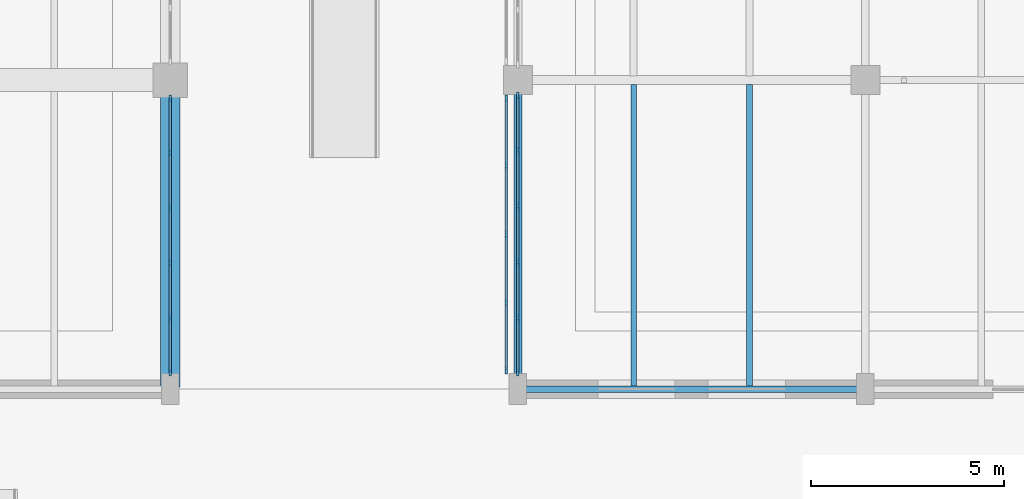
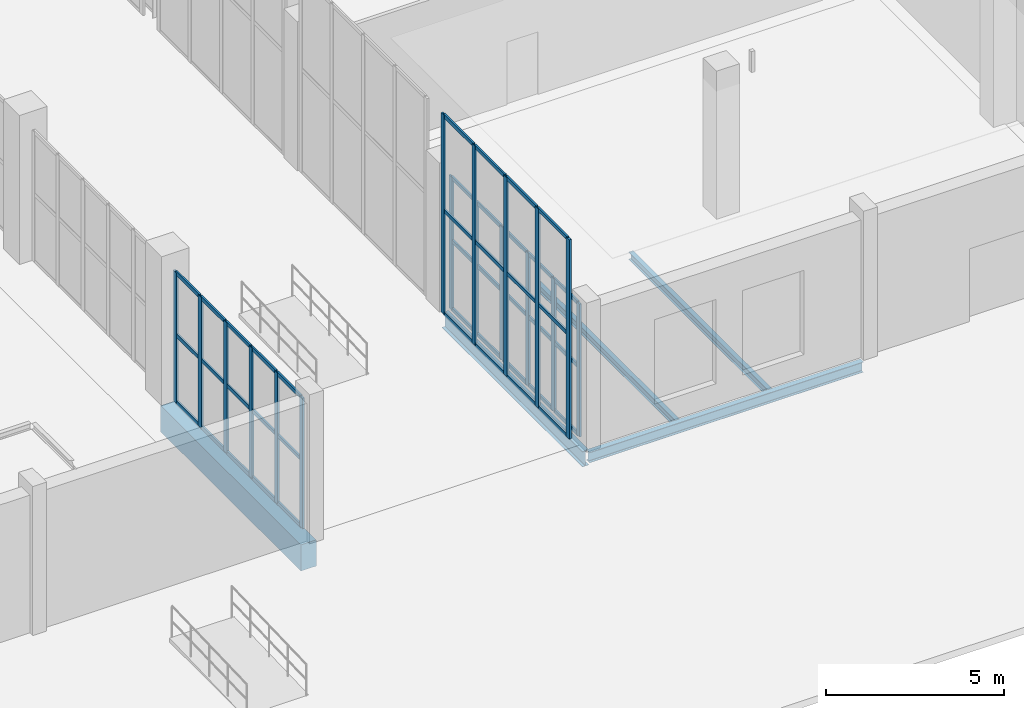
# One storey, part 39 of 103: 59 members, 5 beams, 3 elements without a shape of their own.
"""IFC4 building model written with IfcOpenShell, lengths in metres."""

from ifc_helpers import new_model, si_unit, direction, frame, origin, origin_2d, place, context, subcontext, project, spatial, rectangle, i_section, extrude, material, layer, layer_set, material_profile, profile_set, type_object, element, aggregate, save


model = new_model("IFC4")

# Units and contexts
model_context = context("Model", 3, precision=1e-05, world=origin(), true_north=direction((0.0, 1.0)))
body_context = subcontext(model_context, "Body", "Model", "MODEL_VIEW")
ifc_project = project(units=[si_unit("LENGTHUNIT", "METRE"), si_unit("AREAUNIT", "SQUARE_METRE"), si_unit("VOLUMEUNIT", "CUBIC_METRE"), si_unit("PLANEANGLEUNIT", "RADIAN"), si_unit("MASSUNIT", "GRAM", prefix="KILO")], contexts=[model_context])

# Site, building, storey
site_placement = place(None, origin())
site = spatial("IfcSite", under=ifc_project, at=site_placement, CompositionType="ELEMENT")
building_placement = place(site_placement, origin())
building = spatial("IfcBuilding", under=site, at=building_placement, Name="Marnock Terrace Opera House", CompositionType="ELEMENT")
storey_placement = place(building_placement, origin())
storey = spatial("IfcBuildingStorey", under=building, at=storey_placement, Name="L00", CompositionType="ELEMENT", Elevation=0.0)

# Beams
ifc_material_1 = material(Name="Concrete N40 (f'c = 40 MPa)", Category="concrete")
ifc_material_profile_1 = material_profile(ifc_material_1, rectangle(XDim=0.5, YDim=0.89990234375, at=origin_2d()))
ifc_profile_set_1 = profile_set([ifc_material_profile_1], Name="Concrete N40 (f'c = 40 MPa)")
beam_type_1 = type_object("IfcBeamType", Name="BM-B1-RC500", PredefinedType="BEAM", material=ifc_profile_set_1)
beam_1_placement = place(storey_placement, frame((109.0, 8.050048828125, -0.75), z_axis=(0.0, 1.0, 0.0), x_axis=(-1.0, 0.0, 0.0)))
element("IfcBeam", 1, at=beam_1_placement, inside=storey, type_object=beam_type_1, Name="L00 girder (X=109.0, 8.0..16.0)", PredefinedType="BEAM", context=body_context, shape_type="SweptSolid", body=[
    extrude(rectangle(XDim=0.5, YDim=0.89990234375, at=origin_2d()), origin(), (0.0, 0.0, 1.0), 7.89990234375),
])
ifc_material_2 = material(Name="Steel Grade 350 (AS/NZS 3679.1)", Category="steel")
ifc_material_profile_2 = material_profile(ifc_material_2, i_section(OverallWidth=0.208984375, OverallDepth=0.528076171875, WebThickness=0.009521484375, FlangeThickness=0.01318359375, FilletRadius=0.013916015625, at=origin_2d()))
ifc_profile_set_2 = profile_set([ifc_material_profile_2], Name="Steel Grade 350 (AS/NZS 3679.1)")
beam_type_2 = type_object("IfcBeamType", Name="BM-GIRD-530B", PredefinedType="BEAM", material=ifc_profile_set_2)
beam_2_placement = place(storey_placement, frame((118.0, 8.050048828125, -0.56396484375), z_axis=(0.0, 1.0, 0.0), x_axis=(-1.0, 0.0, 0.0)))
element("IfcBeam", 2, at=beam_2_placement, inside=storey, type_object=beam_type_2, Name="L00 girder (X=118.0, 8.0..16.0)", PredefinedType="BEAM", context=body_context, shape_type="SweptSolid", body=[
    extrude(i_section(OverallWidth=0.208984375, OverallDepth=0.528076171875, WebThickness=0.009521484375, FlangeThickness=0.01318359375, FilletRadius=0.013916015625, at=origin_2d()), origin(), (0.0, 0.0, 1.0), 7.89990234375),
])
ifc_material_profile_3 = material_profile(ifc_material_2, i_section(OverallWidth=0.14599609375, OverallDepth=0.256103515625, WebThickness=0.00634765625, FlangeThickness=0.010986328125, FilletRadius=0.0087890625, at=origin_2d()))
ifc_profile_set_3 = profile_set([ifc_material_profile_3], Name="Steel Grade 350 (AS/NZS 3679.1)")
beam_type_3 = type_object("IfcBeamType", Name="BM-JOIST-250", PredefinedType="JOIST", material=ifc_profile_set_3)
for number, where, z_axis, x_axis, name in (
    (3, (121.0, 8.0810546875, -0.427978515625), (0.0, 1.0, 0.0), (-1.0, 0.0, 0.0), "L00 secondary joist 13.1.1"),
    (4, (124.0, 8.0810546875, -0.427978515625), (0.0, 1.0, 0.0), (-1.0, 0.0, 0.0), "L00 secondary joist 13.1.2"),
):
    element("IfcBeam", number, at=place(storey_placement, frame(where, z_axis=z_axis, x_axis=x_axis)), inside=storey, type_object=beam_type_3, Name=name, PredefinedType="JOIST", context=body_context, shape_type="SweptSolid", body=[
        extrude(i_section(OverallWidth=0.14599609375, OverallDepth=0.256103515625, WebThickness=0.00634765625, FlangeThickness=0.010986328125, FilletRadius=0.0087890625, at=origin_2d()), origin(), (0.0, 0.0, 1.0), 7.809326171875),
    ])
ifc_material_profile_4 = material_profile(ifc_material_2, i_section(OverallWidth=0.172119140625, OverallDepth=0.358642578125, WebThickness=0.008056640625, FlangeThickness=0.012939453125, FilletRadius=0.011474609375, at=origin_2d()))
ifc_profile_set_4 = profile_set([ifc_material_profile_4], Name="Steel Grade 350 (AS/NZS 3679.1)")
beam_type_4 = type_object("IfcBeamType", Name="BM-SPAN-360", PredefinedType="SPANDREL", material=ifc_profile_set_4)
beam_3_placement = place(storey_placement, frame((118.050048828125, 8.0, -0.479248046875), z_axis=(1.0, 0.0, 0.0), x_axis=(0.0, 1.0, 0.0)))
element("IfcBeam", 5, at=beam_3_placement, inside=storey, type_object=beam_type_4, Name="L00 girder (118.0..127.0, Y=8.0)", PredefinedType="SPANDREL", context=body_context, shape_type="SweptSolid", body=[
    extrude(i_section(OverallWidth=0.172119140625, OverallDepth=0.358642578125, WebThickness=0.008056640625, FlangeThickness=0.012939453125, FilletRadius=0.011474609375, at=origin_2d()), origin(), (0.0, 0.0, 1.0), 8.89990234375),
])

# Curtain wall, members
ifc_material_3 = material(Name="Anodised architectural bronze aluminium framing", Category="aluminium")
ifc_layer_1 = layer(ifc_material_3, 0.159912109375)
ifc_layer_set_1 = layer_set([ifc_layer_1], Name="Anodised architectural bronze aluminium framing")
curtain_wall_type_1 = type_object("IfcCurtainWallType", Name="CW-FOYER-80x51", PredefinedType="NOTDEFINED", material=ifc_layer_set_1)
curtain_wall_1_placement = place(storey_placement, origin())
curtain_wall_1 = element("IfcCurtainWall", 6, at=curtain_wall_1_placement, inside=storey, type_object=curtain_wall_type_1, Name="L00 glazed Beaux-Arts colonnade curtain wall CW-V1E-L00-01", PredefinedType="NOTDEFINED")
ifc_material_profile_5 = material_profile(ifc_material_3, rectangle(XDim=0.06494140625, YDim=0.179931640625, at=origin_2d()))
ifc_profile_set_5 = profile_set([ifc_material_profile_5], Name="Anodised architectural bronze aluminium framing")
member_type_1 = type_object("IfcMemberType", Name="CWM-65x180", PredefinedType="MULLION", material=ifc_profile_set_5)
member_1_placement = place(storey_placement, frame((109.0, 8.426025390625, 0.0), z_axis=(0.0, 0.0, 1.0), x_axis=(-1.0, 0.0, 0.0)))
member_1 = element("IfcMember", 7, at=member_1_placement, type_object=member_type_1, Name="CW-73 mullion 1", PredefinedType="MULLION", context=body_context, shape_type="SweptSolid", body=[
    extrude(rectangle(XDim=0.06494140625, YDim=0.179931640625, at=origin_2d()), origin(), (0.0, 0.0, 1.0), 4.488037109375),
])
member_2_placement = place(storey_placement, frame((109.0, 9.82763671875, 0.0), z_axis=(0.0, 0.0, 1.0), x_axis=(-1.0, 0.0, 0.0)))
member_2 = element("IfcMember", 8, at=member_2_placement, type_object=member_type_1, Name="CW-73 mullion 2", PredefinedType="MULLION", context=body_context, shape_type="SweptSolid", body=[
    extrude(rectangle(XDim=0.06494140625, YDim=0.179931640625, at=origin_2d()), origin(), (0.0, 0.0, 1.0), 4.488037109375),
])
member_3_placement = place(storey_placement, frame((109.0, 11.25927734375, 0.0), z_axis=(0.0, 0.0, 1.0), x_axis=(-1.0, 0.0, 0.0)))
member_3 = element("IfcMember", 9, at=member_3_placement, type_object=member_type_1, Name="CW-73 mullion 3", PredefinedType="MULLION", context=body_context, shape_type="SweptSolid", body=[
    extrude(rectangle(XDim=0.06494140625, YDim=0.179931640625, at=origin_2d()), origin(), (0.0, 0.0, 1.0), 4.488037109375),
])
member_4_placement = place(storey_placement, frame((109.0, 12.69091796875, 0.0), z_axis=(0.0, 0.0, 1.0), x_axis=(-1.0, 0.0, 0.0)))
member_4 = element("IfcMember", 10, at=member_4_placement, type_object=member_type_1, Name="CW-73 mullion 4", PredefinedType="MULLION", context=body_context, shape_type="SweptSolid", body=[
    extrude(rectangle(XDim=0.06494140625, YDim=0.179931640625, at=origin_2d()), origin(), (0.0, 0.0, 1.0), 4.488037109375),
])
member_5_placement = place(storey_placement, frame((109.0, 14.122314453125, 0.0), z_axis=(0.0, 0.0, 1.0), x_axis=(-1.0, 0.0, 0.0)))
member_5 = element("IfcMember", 11, at=member_5_placement, type_object=member_type_1, Name="CW-73 mullion 5", PredefinedType="MULLION", context=body_context, shape_type="SweptSolid", body=[
    extrude(rectangle(XDim=0.06494140625, YDim=0.179931640625, at=origin_2d()), origin(), (0.0, 0.0, 1.0), 4.488037109375),
])
member_6_placement = place(storey_placement, frame((109.0, 15.52392578125, 0.0), z_axis=(0.0, 0.0, 1.0), x_axis=(-1.0, 0.0, 0.0)))
member_6 = element("IfcMember", 12, at=member_6_placement, type_object=member_type_1, Name="CW-73 mullion 6", PredefinedType="MULLION", context=body_context, shape_type="SweptSolid", body=[
    extrude(rectangle(XDim=0.06494140625, YDim=0.179931640625, at=origin_2d()), origin(), (0.0, 0.0, 1.0), 4.488037109375),
])

ifc_layer_2 = layer(ifc_material_3, 0.159912109375)
ifc_layer_set_2 = layer_set([ifc_layer_2], Name="Anodised architectural bronze aluminium framing")
curtain_wall_type_2 = type_object("IfcCurtainWallType", Name="CW-LOGGIA-86x51", PredefinedType="NOTDEFINED", material=ifc_layer_set_2)
curtain_wall_2_placement = place(storey_placement, origin())
curtain_wall_2 = element("IfcCurtainWall", 13, at=curtain_wall_2_placement, inside=storey, type_object=curtain_wall_type_2, Name="L00 glazed Beaux-Arts colonnade curtain wall CW-V5-L00-W1", PredefinedType="NOTDEFINED")
member_7_placement = place(storey_placement, frame((118.0, 8.426025390625, 0.0), z_axis=(0.0, 0.0, 1.0), x_axis=(-1.0, 0.0, 0.0)))
member_7 = element("IfcMember", 14, at=member_7_placement, type_object=member_type_1, Name="CW-96 mullion 1", PredefinedType="MULLION", context=body_context, shape_type="SweptSolid", body=[
    extrude(rectangle(XDim=0.06494140625, YDim=0.179931640625, at=origin_2d()), origin(), (0.0, 0.0, 1.0), 4.56201171875),
])
member_8_placement = place(storey_placement, frame((118.0, 9.842529296875, 0.0), z_axis=(0.0, 0.0, 1.0), x_axis=(-1.0, 0.0, 0.0)))
member_8 = element("IfcMember", 15, at=member_8_placement, type_object=member_type_1, Name="CW-96 mullion 2", PredefinedType="MULLION", context=body_context, shape_type="SweptSolid", body=[
    extrude(rectangle(XDim=0.06494140625, YDim=0.179931640625, at=origin_2d()), origin(), (0.0, 0.0, 1.0), 4.56201171875),
])
member_9_placement = place(storey_placement, frame((118.0, 11.289306640625, 0.0), z_axis=(0.0, 0.0, 1.0), x_axis=(-1.0, 0.0, 0.0)))
member_9 = element("IfcMember", 16, at=member_9_placement, type_object=member_type_1, Name="CW-96 mullion 3", PredefinedType="MULLION", context=body_context, shape_type="SweptSolid", body=[
    extrude(rectangle(XDim=0.06494140625, YDim=0.179931640625, at=origin_2d()), origin(), (0.0, 0.0, 1.0), 4.56201171875),
])
member_10_placement = place(storey_placement, frame((118.0, 12.73583984375, 0.0), z_axis=(0.0, 0.0, 1.0), x_axis=(-1.0, 0.0, 0.0)))
member_10 = element("IfcMember", 17, at=member_10_placement, type_object=member_type_1, Name="CW-96 mullion 4", PredefinedType="MULLION", context=body_context, shape_type="SweptSolid", body=[
    extrude(rectangle(XDim=0.06494140625, YDim=0.179931640625, at=origin_2d()), origin(), (0.0, 0.0, 1.0), 4.56201171875),
])
member_11_placement = place(storey_placement, frame((118.0, 14.182373046875, 0.0), z_axis=(0.0, 0.0, 1.0), x_axis=(-1.0, 0.0, 0.0)))
member_11 = element("IfcMember", 18, at=member_11_placement, type_object=member_type_1, Name="CW-96 mullion 5", PredefinedType="MULLION", context=body_context, shape_type="SweptSolid", body=[
    extrude(rectangle(XDim=0.06494140625, YDim=0.179931640625, at=origin_2d()), origin(), (0.0, 0.0, 1.0), 4.56201171875),
])
member_12_placement = place(storey_placement, frame((118.0, 15.59912109375, 0.0), z_axis=(0.0, 0.0, 1.0), x_axis=(-1.0, 0.0, 0.0)))
member_12 = element("IfcMember", 19, at=member_12_placement, type_object=member_type_1, Name="CW-96 mullion 6", PredefinedType="MULLION", context=body_context, shape_type="SweptSolid", body=[
    extrude(rectangle(XDim=0.06494140625, YDim=0.179931640625, at=origin_2d()), origin(), (0.0, 0.0, 1.0), 4.56201171875),
])

ifc_layer_3 = layer(ifc_material_3, 0.159912109375)
ifc_layer_set_3 = layer_set([ifc_layer_3], Name="Anodised architectural bronze aluminium framing")
curtain_wall_type_3 = type_object("IfcCurtainWallType", Name="CW-PASSAGE-71x68", PredefinedType="NOTDEFINED", material=ifc_layer_set_3)
curtain_wall_3_placement = place(storey_placement, origin())
curtain_wall_3 = element("IfcCurtainWall", 20, at=curtain_wall_3_placement, inside=storey, type_object=curtain_wall_type_3, Name="L00 glazed Beaux-Arts colonnade curtain wall CW-PASSAGE-L00-01", PredefinedType="NOTDEFINED")
member_13_placement = place(storey_placement, frame((117.699951171875, 8.47998046875, 0.0), z_axis=(0.0, 0.0, 1.0), x_axis=(-1.0, 0.0, 0.0)))
member_13 = element("IfcMember", 21, at=member_13_placement, type_object=member_type_1, Name="CW-33 mullion 1", PredefinedType="MULLION", context=body_context, shape_type="SweptSolid", body=[
    extrude(rectangle(XDim=0.06494140625, YDim=0.179931640625, at=origin_2d()), origin(), (0.0, 0.0, 1.0), 6.85009765625),
])
member_14_placement = place(storey_placement, frame((117.699951171875, 10.22509765625, 0.0), z_axis=(0.0, 0.0, 1.0), x_axis=(-1.0, 0.0, 0.0)))
member_14 = element("IfcMember", 22, at=member_14_placement, type_object=member_type_1, Name="CW-33 mullion 2", PredefinedType="MULLION", context=body_context, shape_type="SweptSolid", body=[
    extrude(rectangle(XDim=0.06494140625, YDim=0.179931640625, at=origin_2d()), origin(), (0.0, 0.0, 1.0), 6.85009765625),
])
member_15_placement = place(storey_placement, frame((117.699951171875, 12.0, 0.0), z_axis=(0.0, 0.0, 1.0), x_axis=(-1.0, 0.0, 0.0)))
member_15 = element("IfcMember", 23, at=member_15_placement, type_object=member_type_1, Name="CW-33 mullion 3", PredefinedType="MULLION", context=body_context, shape_type="SweptSolid", body=[
    extrude(rectangle(XDim=0.06494140625, YDim=0.179931640625, at=origin_2d()), origin(), (0.0, 0.0, 1.0), 6.85009765625),
])
member_16_placement = place(storey_placement, frame((117.699951171875, 13.77490234375, 0.0), z_axis=(0.0, 0.0, 1.0), x_axis=(-1.0, 0.0, 0.0)))
member_16 = element("IfcMember", 24, at=member_16_placement, type_object=member_type_1, Name="CW-33 mullion 4", PredefinedType="MULLION", context=body_context, shape_type="SweptSolid", body=[
    extrude(rectangle(XDim=0.06494140625, YDim=0.179931640625, at=origin_2d()), origin(), (0.0, 0.0, 1.0), 6.85009765625),
])
member_17_placement = place(storey_placement, frame((117.699951171875, 15.52001953125, 0.0), z_axis=(0.0, 0.0, 1.0), x_axis=(-1.0, 0.0, 0.0)))
member_17 = element("IfcMember", 25, at=member_17_placement, type_object=member_type_1, Name="CW-33 mullion 5", PredefinedType="MULLION", context=body_context, shape_type="SweptSolid", body=[
    extrude(rectangle(XDim=0.06494140625, YDim=0.179931640625, at=origin_2d()), origin(), (0.0, 0.0, 1.0), 6.85009765625),
])

# Member
ifc_material_profile_6 = material_profile(ifc_material_3, rectangle(XDim=0.06005859375, YDim=0.1298828125, at=origin_2d()))
ifc_profile_set_6 = profile_set([ifc_material_profile_6], Name="Anodised architectural bronze aluminium framing")
member_type_2 = type_object("IfcMemberType", Name="CWT-60x130", PredefinedType="USERDEFINED", material=ifc_profile_set_6)
member_18_placement = place(storey_placement, frame((109.0, 8.4560546875, 0.030029296875), z_axis=(0.0, 1.0, 0.0), x_axis=(-1.0, 0.0, 0.0)))
member_18 = element("IfcMember", 26, at=member_18_placement, type_object=member_type_2, Name="CW-73 transom 1.1", ObjectType="TRANSOM", PredefinedType="USERDEFINED", context=body_context, shape_type="SweptSolid", body=[
    extrude(rectangle(XDim=0.06005859375, YDim=0.1298828125, at=origin_2d()), origin(), (0.0, 0.0, 1.0), 1.341552734375),
])

member_19_placement = place(storey_placement, frame((109.0, 8.4560546875, 2.333740234375), z_axis=(0.0, 1.0, 0.0), x_axis=(-1.0, 0.0, 0.0)))
member_19 = element("IfcMember", 27, at=member_19_placement, type_object=member_type_2, Name="CW-73 transom 1.2", ObjectType="TRANSOM", PredefinedType="USERDEFINED", context=body_context, shape_type="SweptSolid", body=[
    extrude(rectangle(XDim=0.06005859375, YDim=0.1298828125, at=origin_2d()), origin(), (0.0, 0.0, 1.0), 1.341552734375),
])

member_20_placement = place(storey_placement, frame((109.0, 8.4560546875, 4.4580078125), z_axis=(0.0, 1.0, 0.0), x_axis=(-1.0, 0.0, 0.0)))
member_20 = element("IfcMember", 28, at=member_20_placement, type_object=member_type_2, Name="CW-73 transom 1.3", ObjectType="TRANSOM", PredefinedType="USERDEFINED", context=body_context, shape_type="SweptSolid", body=[
    extrude(rectangle(XDim=0.06005859375, YDim=0.1298828125, at=origin_2d()), origin(), (0.0, 0.0, 1.0), 1.341552734375),
])

member_21_placement = place(storey_placement, frame((109.0, 9.857666015625, 0.030029296875), z_axis=(0.0, 1.0, 0.0), x_axis=(-1.0, 0.0, 0.0)))
member_21 = element("IfcMember", 29, at=member_21_placement, type_object=member_type_2, Name="CW-73 transom 2.1", ObjectType="TRANSOM", PredefinedType="USERDEFINED", context=body_context, shape_type="SweptSolid", body=[
    extrude(rectangle(XDim=0.06005859375, YDim=0.1298828125, at=origin_2d()), origin(), (0.0, 0.0, 1.0), 1.37158203125),
])

member_22_placement = place(storey_placement, frame((109.0, 9.857666015625, 2.333740234375), z_axis=(0.0, 1.0, 0.0), x_axis=(-1.0, 0.0, 0.0)))
member_22 = element("IfcMember", 30, at=member_22_placement, type_object=member_type_2, Name="CW-73 transom 2.2", ObjectType="TRANSOM", PredefinedType="USERDEFINED", context=body_context, shape_type="SweptSolid", body=[
    extrude(rectangle(XDim=0.06005859375, YDim=0.1298828125, at=origin_2d()), origin(), (0.0, 0.0, 1.0), 1.37158203125),
])

member_23_placement = place(storey_placement, frame((109.0, 9.857666015625, 4.4580078125), z_axis=(0.0, 1.0, 0.0), x_axis=(-1.0, 0.0, 0.0)))
member_23 = element("IfcMember", 31, at=member_23_placement, type_object=member_type_2, Name="CW-73 transom 2.3", ObjectType="TRANSOM", PredefinedType="USERDEFINED", context=body_context, shape_type="SweptSolid", body=[
    extrude(rectangle(XDim=0.06005859375, YDim=0.1298828125, at=origin_2d()), origin(), (0.0, 0.0, 1.0), 1.37158203125),
])

member_24_placement = place(storey_placement, frame((109.0, 11.289306640625, 0.030029296875), z_axis=(0.0, 1.0, 0.0), x_axis=(-1.0, 0.0, 0.0)))
member_24 = element("IfcMember", 32, at=member_24_placement, type_object=member_type_2, Name="CW-73 transom 3.1", ObjectType="TRANSOM", PredefinedType="USERDEFINED", context=body_context, shape_type="SweptSolid", body=[
    extrude(rectangle(XDim=0.06005859375, YDim=0.1298828125, at=origin_2d()), origin(), (0.0, 0.0, 1.0), 1.37158203125),
])

member_25_placement = place(storey_placement, frame((109.0, 11.289306640625, 2.333740234375), z_axis=(0.0, 1.0, 0.0), x_axis=(-1.0, 0.0, 0.0)))
member_25 = element("IfcMember", 33, at=member_25_placement, type_object=member_type_2, Name="CW-73 transom 3.2", ObjectType="TRANSOM", PredefinedType="USERDEFINED", context=body_context, shape_type="SweptSolid", body=[
    extrude(rectangle(XDim=0.06005859375, YDim=0.1298828125, at=origin_2d()), origin(), (0.0, 0.0, 1.0), 1.37158203125),
])

member_26_placement = place(storey_placement, frame((109.0, 11.289306640625, 4.4580078125), z_axis=(0.0, 1.0, 0.0), x_axis=(-1.0, 0.0, 0.0)))
member_26 = element("IfcMember", 34, at=member_26_placement, type_object=member_type_2, Name="CW-73 transom 3.3", ObjectType="TRANSOM", PredefinedType="USERDEFINED", context=body_context, shape_type="SweptSolid", body=[
    extrude(rectangle(XDim=0.06005859375, YDim=0.1298828125, at=origin_2d()), origin(), (0.0, 0.0, 1.0), 1.37158203125),
])

member_27_placement = place(storey_placement, frame((109.0, 12.720703125, 0.030029296875), z_axis=(0.0, 1.0, 0.0), x_axis=(-1.0, 0.0, 0.0)))
member_27 = element("IfcMember", 35, at=member_27_placement, type_object=member_type_2, Name="CW-73 transom 4.1", ObjectType="TRANSOM", PredefinedType="USERDEFINED", context=body_context, shape_type="SweptSolid", body=[
    extrude(rectangle(XDim=0.06005859375, YDim=0.1298828125, at=origin_2d()), origin(), (0.0, 0.0, 1.0), 1.37158203125),
])

member_28_placement = place(storey_placement, frame((109.0, 12.720703125, 2.333740234375), z_axis=(0.0, 1.0, 0.0), x_axis=(-1.0, 0.0, 0.0)))
member_28 = element("IfcMember", 36, at=member_28_placement, type_object=member_type_2, Name="CW-73 transom 4.2", ObjectType="TRANSOM", PredefinedType="USERDEFINED", context=body_context, shape_type="SweptSolid", body=[
    extrude(rectangle(XDim=0.06005859375, YDim=0.1298828125, at=origin_2d()), origin(), (0.0, 0.0, 1.0), 1.37158203125),
])

member_29_placement = place(storey_placement, frame((109.0, 12.720703125, 4.4580078125), z_axis=(0.0, 1.0, 0.0), x_axis=(-1.0, 0.0, 0.0)))
member_29 = element("IfcMember", 37, at=member_29_placement, type_object=member_type_2, Name="CW-73 transom 4.3", ObjectType="TRANSOM", PredefinedType="USERDEFINED", context=body_context, shape_type="SweptSolid", body=[
    extrude(rectangle(XDim=0.06005859375, YDim=0.1298828125, at=origin_2d()), origin(), (0.0, 0.0, 1.0), 1.37158203125),
])

member_30_placement = place(storey_placement, frame((109.0, 14.15234375, 0.030029296875), z_axis=(0.0, 1.0, 0.0), x_axis=(-1.0, 0.0, 0.0)))
member_30 = element("IfcMember", 38, at=member_30_placement, type_object=member_type_2, Name="CW-73 transom 5.1", ObjectType="TRANSOM", PredefinedType="USERDEFINED", context=body_context, shape_type="SweptSolid", body=[
    extrude(rectangle(XDim=0.06005859375, YDim=0.1298828125, at=origin_2d()), origin(), (0.0, 0.0, 1.0), 1.341552734375),
])

member_31_placement = place(storey_placement, frame((109.0, 14.15234375, 2.333740234375), z_axis=(0.0, 1.0, 0.0), x_axis=(-1.0, 0.0, 0.0)))
member_31 = element("IfcMember", 39, at=member_31_placement, type_object=member_type_2, Name="CW-73 transom 5.2", ObjectType="TRANSOM", PredefinedType="USERDEFINED", context=body_context, shape_type="SweptSolid", body=[
    extrude(rectangle(XDim=0.06005859375, YDim=0.1298828125, at=origin_2d()), origin(), (0.0, 0.0, 1.0), 1.341552734375),
])

member_32_placement = place(storey_placement, frame((109.0, 14.15234375, 4.4580078125), z_axis=(0.0, 1.0, 0.0), x_axis=(-1.0, 0.0, 0.0)))
member_32 = element("IfcMember", 40, at=member_32_placement, type_object=member_type_2, Name="CW-73 transom 5.3", ObjectType="TRANSOM", PredefinedType="USERDEFINED", context=body_context, shape_type="SweptSolid", body=[
    extrude(rectangle(XDim=0.06005859375, YDim=0.1298828125, at=origin_2d()), origin(), (0.0, 0.0, 1.0), 1.341552734375),
])

aggregate(curtain_wall_1, [member_1, member_2, member_3, member_4, member_5, member_6, member_18, member_19, member_20, member_21, member_22, member_23, member_24, member_25, member_26, member_27, member_28, member_29, member_30, member_31, member_32])

member_33_placement = place(storey_placement, frame((118.0, 8.4560546875, 0.030029296875), z_axis=(0.0, 1.0, 0.0), x_axis=(-1.0, 0.0, 0.0)))
member_33 = element("IfcMember", 41, at=member_33_placement, type_object=member_type_2, Name="CW-96 transom 1.1", ObjectType="TRANSOM", PredefinedType="USERDEFINED", context=body_context, shape_type="SweptSolid", body=[
    extrude(rectangle(XDim=0.06005859375, YDim=0.1298828125, at=origin_2d()), origin(), (0.0, 0.0, 1.0), 1.3564453125),
])

member_34_placement = place(storey_placement, frame((118.0, 8.4560546875, 2.372314453125), z_axis=(0.0, 1.0, 0.0), x_axis=(-1.0, 0.0, 0.0)))
member_34 = element("IfcMember", 42, at=member_34_placement, type_object=member_type_2, Name="CW-96 transom 1.2", ObjectType="TRANSOM", PredefinedType="USERDEFINED", context=body_context, shape_type="SweptSolid", body=[
    extrude(rectangle(XDim=0.06005859375, YDim=0.1298828125, at=origin_2d()), origin(), (0.0, 0.0, 1.0), 1.3564453125),
])

member_35_placement = place(storey_placement, frame((118.0, 8.4560546875, 4.531982421875), z_axis=(0.0, 1.0, 0.0), x_axis=(-1.0, 0.0, 0.0)))
member_35 = element("IfcMember", 43, at=member_35_placement, type_object=member_type_2, Name="CW-96 transom 1.3", ObjectType="TRANSOM", PredefinedType="USERDEFINED", context=body_context, shape_type="SweptSolid", body=[
    extrude(rectangle(XDim=0.06005859375, YDim=0.1298828125, at=origin_2d()), origin(), (0.0, 0.0, 1.0), 1.3564453125),
])

member_36_placement = place(storey_placement, frame((118.0, 9.87255859375, 0.030029296875), z_axis=(0.0, 1.0, 0.0), x_axis=(-1.0, 0.0, 0.0)))
member_36 = element("IfcMember", 44, at=member_36_placement, type_object=member_type_2, Name="CW-96 transom 2.1", ObjectType="TRANSOM", PredefinedType="USERDEFINED", context=body_context, shape_type="SweptSolid", body=[
    extrude(rectangle(XDim=0.06005859375, YDim=0.1298828125, at=origin_2d()), origin(), (0.0, 0.0, 1.0), 1.38671875),
])

member_37_placement = place(storey_placement, frame((118.0, 9.87255859375, 2.372314453125), z_axis=(0.0, 1.0, 0.0), x_axis=(-1.0, 0.0, 0.0)))
member_37 = element("IfcMember", 45, at=member_37_placement, type_object=member_type_2, Name="CW-96 transom 2.2", ObjectType="TRANSOM", PredefinedType="USERDEFINED", context=body_context, shape_type="SweptSolid", body=[
    extrude(rectangle(XDim=0.06005859375, YDim=0.1298828125, at=origin_2d()), origin(), (0.0, 0.0, 1.0), 1.38671875),
])

member_38_placement = place(storey_placement, frame((118.0, 9.87255859375, 4.531982421875), z_axis=(0.0, 1.0, 0.0), x_axis=(-1.0, 0.0, 0.0)))
member_38 = element("IfcMember", 46, at=member_38_placement, type_object=member_type_2, Name="CW-96 transom 2.3", ObjectType="TRANSOM", PredefinedType="USERDEFINED", context=body_context, shape_type="SweptSolid", body=[
    extrude(rectangle(XDim=0.06005859375, YDim=0.1298828125, at=origin_2d()), origin(), (0.0, 0.0, 1.0), 1.38671875),
])

member_39_placement = place(storey_placement, frame((118.0, 11.319091796875, 0.030029296875), z_axis=(0.0, 1.0, 0.0), x_axis=(-1.0, 0.0, 0.0)))
member_39 = element("IfcMember", 47, at=member_39_placement, type_object=member_type_2, Name="CW-96 transom 3.1", ObjectType="TRANSOM", PredefinedType="USERDEFINED", context=body_context, shape_type="SweptSolid", body=[
    extrude(rectangle(XDim=0.06005859375, YDim=0.1298828125, at=origin_2d()), origin(), (0.0, 0.0, 1.0), 1.38671875),
])

member_40_placement = place(storey_placement, frame((118.0, 11.319091796875, 2.372314453125), z_axis=(0.0, 1.0, 0.0), x_axis=(-1.0, 0.0, 0.0)))
member_40 = element("IfcMember", 48, at=member_40_placement, type_object=member_type_2, Name="CW-96 transom 3.2", ObjectType="TRANSOM", PredefinedType="USERDEFINED", context=body_context, shape_type="SweptSolid", body=[
    extrude(rectangle(XDim=0.06005859375, YDim=0.1298828125, at=origin_2d()), origin(), (0.0, 0.0, 1.0), 1.38671875),
])

member_41_placement = place(storey_placement, frame((118.0, 11.319091796875, 4.531982421875), z_axis=(0.0, 1.0, 0.0), x_axis=(-1.0, 0.0, 0.0)))
member_41 = element("IfcMember", 49, at=member_41_placement, type_object=member_type_2, Name="CW-96 transom 3.3", ObjectType="TRANSOM", PredefinedType="USERDEFINED", context=body_context, shape_type="SweptSolid", body=[
    extrude(rectangle(XDim=0.06005859375, YDim=0.1298828125, at=origin_2d()), origin(), (0.0, 0.0, 1.0), 1.38671875),
])

member_42_placement = place(storey_placement, frame((118.0, 12.765869140625, 0.030029296875), z_axis=(0.0, 1.0, 0.0), x_axis=(-1.0, 0.0, 0.0)))
member_42 = element("IfcMember", 50, at=member_42_placement, type_object=member_type_2, Name="CW-96 transom 4.1", ObjectType="TRANSOM", PredefinedType="USERDEFINED", context=body_context, shape_type="SweptSolid", body=[
    extrude(rectangle(XDim=0.06005859375, YDim=0.1298828125, at=origin_2d()), origin(), (0.0, 0.0, 1.0), 1.386474609375),
])

member_43_placement = place(storey_placement, frame((118.0, 12.765869140625, 2.372314453125), z_axis=(0.0, 1.0, 0.0), x_axis=(-1.0, 0.0, 0.0)))
member_43 = element("IfcMember", 51, at=member_43_placement, type_object=member_type_2, Name="CW-96 transom 4.2", ObjectType="TRANSOM", PredefinedType="USERDEFINED", context=body_context, shape_type="SweptSolid", body=[
    extrude(rectangle(XDim=0.06005859375, YDim=0.1298828125, at=origin_2d()), origin(), (0.0, 0.0, 1.0), 1.386474609375),
])

member_44_placement = place(storey_placement, frame((118.0, 12.765869140625, 4.531982421875), z_axis=(0.0, 1.0, 0.0), x_axis=(-1.0, 0.0, 0.0)))
member_44 = element("IfcMember", 52, at=member_44_placement, type_object=member_type_2, Name="CW-96 transom 4.3", ObjectType="TRANSOM", PredefinedType="USERDEFINED", context=body_context, shape_type="SweptSolid", body=[
    extrude(rectangle(XDim=0.06005859375, YDim=0.1298828125, at=origin_2d()), origin(), (0.0, 0.0, 1.0), 1.386474609375),
])

member_45_placement = place(storey_placement, frame((118.0, 14.21240234375, 0.030029296875), z_axis=(0.0, 1.0, 0.0), x_axis=(-1.0, 0.0, 0.0)))
member_45 = element("IfcMember", 53, at=member_45_placement, type_object=member_type_2, Name="CW-96 transom 5.1", ObjectType="TRANSOM", PredefinedType="USERDEFINED", context=body_context, shape_type="SweptSolid", body=[
    extrude(rectangle(XDim=0.06005859375, YDim=0.1298828125, at=origin_2d()), origin(), (0.0, 0.0, 1.0), 1.356689453125),
])

member_46_placement = place(storey_placement, frame((118.0, 14.21240234375, 2.372314453125), z_axis=(0.0, 1.0, 0.0), x_axis=(-1.0, 0.0, 0.0)))
member_46 = element("IfcMember", 54, at=member_46_placement, type_object=member_type_2, Name="CW-96 transom 5.2", ObjectType="TRANSOM", PredefinedType="USERDEFINED", context=body_context, shape_type="SweptSolid", body=[
    extrude(rectangle(XDim=0.06005859375, YDim=0.1298828125, at=origin_2d()), origin(), (0.0, 0.0, 1.0), 1.356689453125),
])

member_47_placement = place(storey_placement, frame((118.0, 14.21240234375, 4.531982421875), z_axis=(0.0, 1.0, 0.0), x_axis=(-1.0, 0.0, 0.0)))
member_47 = element("IfcMember", 55, at=member_47_placement, type_object=member_type_2, Name="CW-96 transom 5.3", ObjectType="TRANSOM", PredefinedType="USERDEFINED", context=body_context, shape_type="SweptSolid", body=[
    extrude(rectangle(XDim=0.06005859375, YDim=0.1298828125, at=origin_2d()), origin(), (0.0, 0.0, 1.0), 1.356689453125),
])

aggregate(curtain_wall_2, [member_7, member_8, member_9, member_10, member_11, member_12, member_33, member_34, member_35, member_36, member_37, member_38, member_39, member_40, member_41, member_42, member_43, member_44, member_45, member_46, member_47])

member_48_placement = place(storey_placement, frame((117.699951171875, 8.510009765625, 0.030029296875), z_axis=(0.0, 1.0, 0.0), x_axis=(-1.0, 0.0, 0.0)))
member_48 = element("IfcMember", 56, at=member_48_placement, type_object=member_type_2, Name="CW-33 transom 1.1", ObjectType="TRANSOM", PredefinedType="USERDEFINED", context=body_context, shape_type="SweptSolid", body=[
    extrude(rectangle(XDim=0.06005859375, YDim=0.1298828125, at=origin_2d()), origin(), (0.0, 0.0, 1.0), 1.68505859375),
])

member_49_placement = place(storey_placement, frame((117.699951171875, 8.510009765625, 3.56201171875), z_axis=(0.0, 1.0, 0.0), x_axis=(-1.0, 0.0, 0.0)))
member_49 = element("IfcMember", 57, at=member_49_placement, type_object=member_type_2, Name="CW-33 transom 1.2", ObjectType="TRANSOM", PredefinedType="USERDEFINED", context=body_context, shape_type="SweptSolid", body=[
    extrude(rectangle(XDim=0.06005859375, YDim=0.1298828125, at=origin_2d()), origin(), (0.0, 0.0, 1.0), 1.68505859375),
])

member_50_placement = place(storey_placement, frame((117.699951171875, 8.510009765625, 6.820068359375), z_axis=(0.0, 1.0, 0.0), x_axis=(-1.0, 0.0, 0.0)))
member_50 = element("IfcMember", 58, at=member_50_placement, type_object=member_type_2, Name="CW-33 transom 1.3", ObjectType="TRANSOM", PredefinedType="USERDEFINED", context=body_context, shape_type="SweptSolid", body=[
    extrude(rectangle(XDim=0.06005859375, YDim=0.1298828125, at=origin_2d()), origin(), (0.0, 0.0, 1.0), 1.68505859375),
])

member_51_placement = place(storey_placement, frame((117.699951171875, 10.2548828125, 0.030029296875), z_axis=(0.0, 1.0, 0.0), x_axis=(-1.0, 0.0, 0.0)))
member_51 = element("IfcMember", 59, at=member_51_placement, type_object=member_type_2, Name="CW-33 transom 2.1", ObjectType="TRANSOM", PredefinedType="USERDEFINED", context=body_context, shape_type="SweptSolid", body=[
    extrude(rectangle(XDim=0.06005859375, YDim=0.1298828125, at=origin_2d()), origin(), (0.0, 0.0, 1.0), 1.715087890625),
])

member_52_placement = place(storey_placement, frame((117.699951171875, 10.2548828125, 3.56201171875), z_axis=(0.0, 1.0, 0.0), x_axis=(-1.0, 0.0, 0.0)))
member_52 = element("IfcMember", 60, at=member_52_placement, type_object=member_type_2, Name="CW-33 transom 2.2", ObjectType="TRANSOM", PredefinedType="USERDEFINED", context=body_context, shape_type="SweptSolid", body=[
    extrude(rectangle(XDim=0.06005859375, YDim=0.1298828125, at=origin_2d()), origin(), (0.0, 0.0, 1.0), 1.715087890625),
])

member_53_placement = place(storey_placement, frame((117.699951171875, 10.2548828125, 6.820068359375), z_axis=(0.0, 1.0, 0.0), x_axis=(-1.0, 0.0, 0.0)))
member_53 = element("IfcMember", 61, at=member_53_placement, type_object=member_type_2, Name="CW-33 transom 2.3", ObjectType="TRANSOM", PredefinedType="USERDEFINED", context=body_context, shape_type="SweptSolid", body=[
    extrude(rectangle(XDim=0.06005859375, YDim=0.1298828125, at=origin_2d()), origin(), (0.0, 0.0, 1.0), 1.715087890625),
])

member_54_placement = place(storey_placement, frame((117.699951171875, 12.030029296875, 0.030029296875), z_axis=(0.0, 1.0, 0.0), x_axis=(-1.0, 0.0, 0.0)))
member_54 = element("IfcMember", 62, at=member_54_placement, type_object=member_type_2, Name="CW-33 transom 3.1", ObjectType="TRANSOM", PredefinedType="USERDEFINED", context=body_context, shape_type="SweptSolid", body=[
    extrude(rectangle(XDim=0.06005859375, YDim=0.1298828125, at=origin_2d()), origin(), (0.0, 0.0, 1.0), 1.715087890625),
])

member_55_placement = place(storey_placement, frame((117.699951171875, 12.030029296875, 3.56201171875), z_axis=(0.0, 1.0, 0.0), x_axis=(-1.0, 0.0, 0.0)))
member_55 = element("IfcMember", 63, at=member_55_placement, type_object=member_type_2, Name="CW-33 transom 3.2", ObjectType="TRANSOM", PredefinedType="USERDEFINED", context=body_context, shape_type="SweptSolid", body=[
    extrude(rectangle(XDim=0.06005859375, YDim=0.1298828125, at=origin_2d()), origin(), (0.0, 0.0, 1.0), 1.715087890625),
])

member_56_placement = place(storey_placement, frame((117.699951171875, 12.030029296875, 6.820068359375), z_axis=(0.0, 1.0, 0.0), x_axis=(-1.0, 0.0, 0.0)))
member_56 = element("IfcMember", 64, at=member_56_placement, type_object=member_type_2, Name="CW-33 transom 3.3", ObjectType="TRANSOM", PredefinedType="USERDEFINED", context=body_context, shape_type="SweptSolid", body=[
    extrude(rectangle(XDim=0.06005859375, YDim=0.1298828125, at=origin_2d()), origin(), (0.0, 0.0, 1.0), 1.715087890625),
])

member_57_placement = place(storey_placement, frame((117.699951171875, 13.804931640625, 0.030029296875), z_axis=(0.0, 1.0, 0.0), x_axis=(-1.0, 0.0, 0.0)))
member_57 = element("IfcMember", 65, at=member_57_placement, type_object=member_type_2, Name="CW-33 transom 4.1", ObjectType="TRANSOM", PredefinedType="USERDEFINED", context=body_context, shape_type="SweptSolid", body=[
    extrude(rectangle(XDim=0.06005859375, YDim=0.1298828125, at=origin_2d()), origin(), (0.0, 0.0, 1.0), 1.68505859375),
])

member_58_placement = place(storey_placement, frame((117.699951171875, 13.804931640625, 3.56201171875), z_axis=(0.0, 1.0, 0.0), x_axis=(-1.0, 0.0, 0.0)))
member_58 = element("IfcMember", 66, at=member_58_placement, type_object=member_type_2, Name="CW-33 transom 4.2", ObjectType="TRANSOM", PredefinedType="USERDEFINED", context=body_context, shape_type="SweptSolid", body=[
    extrude(rectangle(XDim=0.06005859375, YDim=0.1298828125, at=origin_2d()), origin(), (0.0, 0.0, 1.0), 1.68505859375),
])

member_59_placement = place(storey_placement, frame((117.699951171875, 13.804931640625, 6.820068359375), z_axis=(0.0, 1.0, 0.0), x_axis=(-1.0, 0.0, 0.0)))
member_59 = element("IfcMember", 67, at=member_59_placement, type_object=member_type_2, Name="CW-33 transom 4.3", ObjectType="TRANSOM", PredefinedType="USERDEFINED", context=body_context, shape_type="SweptSolid", body=[
    extrude(rectangle(XDim=0.06005859375, YDim=0.1298828125, at=origin_2d()), origin(), (0.0, 0.0, 1.0), 1.68505859375),
])

aggregate(curtain_wall_3, [member_13, member_14, member_15, member_16, member_17, member_48, member_49, member_50, member_51, member_52, member_53, member_54, member_55, member_56, member_57, member_58, member_59])

save(model, "model.ifc")
